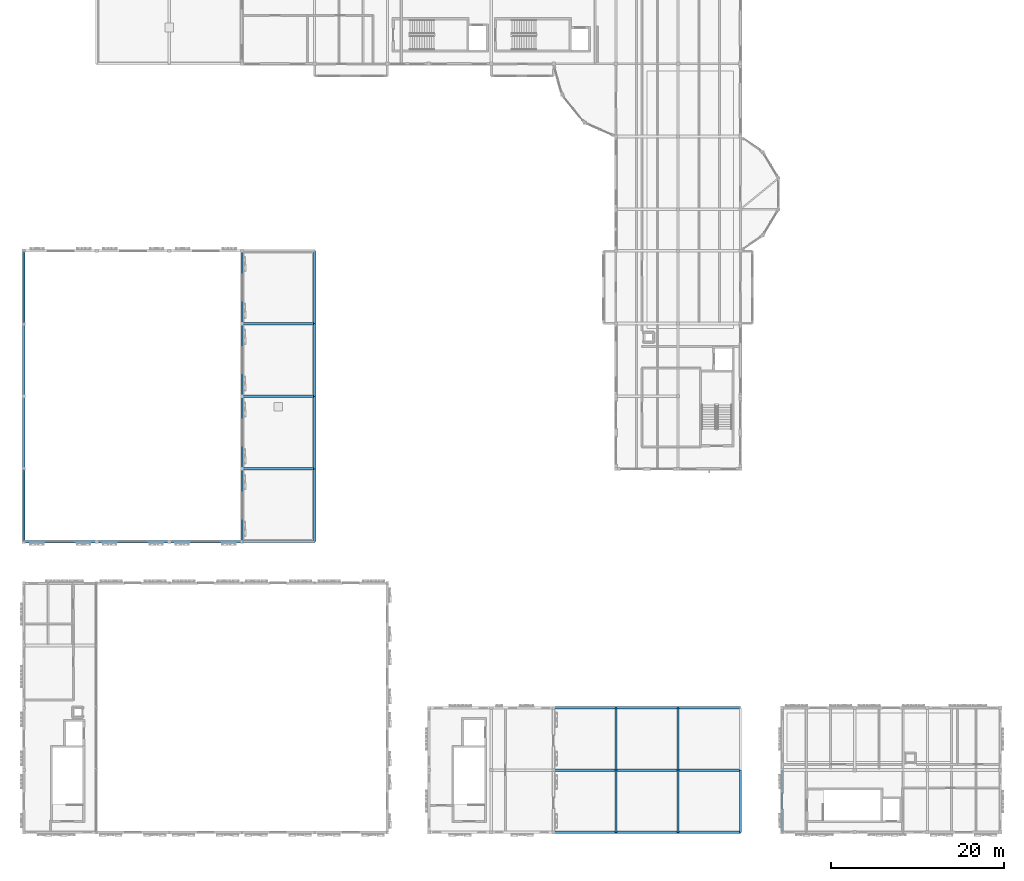
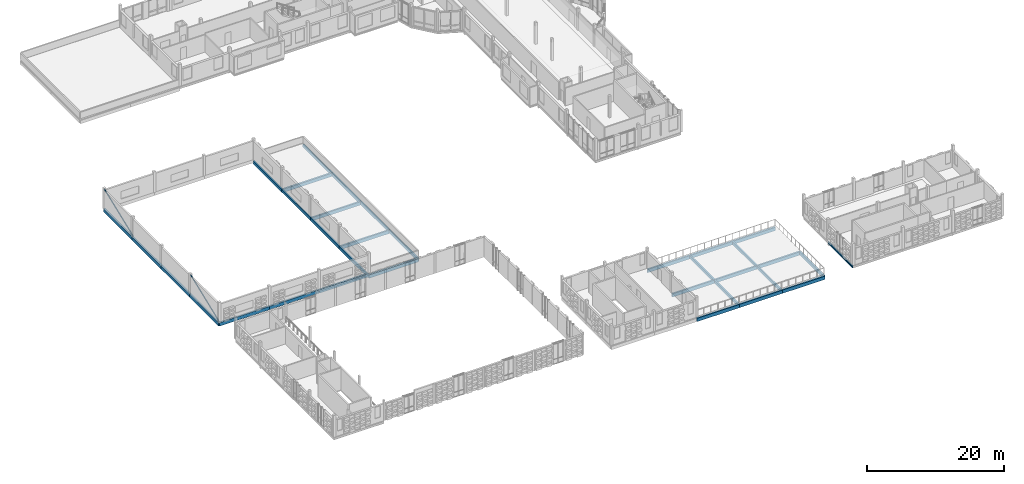
# One storey, part 11 of 57: 34 beams, 2 members.
"""IFC4 building model written with IfcOpenShell, lengths in metres."""

from ifc_helpers import new_model, si_unit, direction, frame, origin, origin_2d, place, context, subcontext, project, spatial, rectangle, hollow_circle, i_section, extrude, material, material_profile, profile_set, type_object, element, save


model = new_model("IFC4")

# Units and contexts
model_context = context("Model", 3, precision=1e-05, world=origin(), true_north=direction((0.0, 1.0)))
body_context = subcontext(model_context, "Body", "Model", "MODEL_VIEW")
ifc_project = project(units=[si_unit("LENGTHUNIT", "METRE"), si_unit("AREAUNIT", "SQUARE_METRE"), si_unit("VOLUMEUNIT", "CUBIC_METRE"), si_unit("PLANEANGLEUNIT", "RADIAN"), si_unit("MASSUNIT", "GRAM", prefix="KILO")], contexts=[model_context])

# Site, building, storey
site_placement = place(None, origin())
site = spatial("IfcSite", under=ifc_project, at=site_placement, CompositionType="ELEMENT")
building_placement = place(site_placement, origin())
building = spatial("IfcBuilding", under=site, at=building_placement, Name="Kahlenmark Community Centre", CompositionType="ELEMENT")
storey_placement = place(building_placement, frame((0.0, 0.0, 13.800048828125)))
storey = spatial("IfcBuildingStorey", under=building, at=storey_placement, Name="L03", CompositionType="ELEMENT", Elevation=13.800048828125)

# Beams
ifc_material_1 = material(Name="Glulam GL32h", Category="wood")
ifc_material_profile_1 = material_profile(ifc_material_1, rectangle(XDim=0.239990234375, YDim=0.52001953125, at=origin_2d()), Name="GL32h 240x520")
ifc_profile_set_1 = profile_set([ifc_material_profile_1], Name="Glulam GL32h")
beam_type_1 = type_object("IfcBeamType", Name="BT-BEAM-GL32h240x520", PredefinedType="BEAM", material=ifc_profile_set_1)
beam_1_placement = place(storey_placement, frame((29.199951171875, 42.39990234375, -0.5400390625), z_axis=(0.0, 1.0, 0.0), x_axis=(-1.0, 0.0, 0.0)))
element("IfcBeam", 1, at=beam_1_placement, inside=storey, type_object=beam_type_1, Name="L03 beam BG-RF520", PredefinedType="BEAM", context=body_context, shape_type="SweptSolid", body=[
    extrude(rectangle(XDim=0.239990234375, YDim=0.52001953125, at=origin_2d()), origin(), (0.0, 0.0, 1.0), 8.400146484375),
])
beam_2_placement = place(storey_placement, frame((29.199951171875, 50.800048828125, -0.5400390625), z_axis=(0.0, 1.0, 0.0), x_axis=(-1.0, 0.0, 0.0)))
element("IfcBeam", 2, at=beam_2_placement, inside=storey, type_object=beam_type_1, Name="L03 beam BG-RF520", PredefinedType="BEAM", context=body_context, shape_type="SweptSolid", body=[
    extrude(rectangle(XDim=0.239990234375, YDim=0.52001953125, at=origin_2d()), origin(), (0.0, 0.0, 1.0), 8.39990234375),
])
beam_3_placement = place(storey_placement, frame((29.199951171875, 59.199951171875, -0.5400390625), z_axis=(0.0, 1.0, 0.0), x_axis=(-1.0, 0.0, 0.0)))
element("IfcBeam", 3, at=beam_3_placement, inside=storey, type_object=beam_type_1, Name="L03 beam BG-RF520", PredefinedType="BEAM", context=body_context, shape_type="SweptSolid", body=[
    extrude(rectangle(XDim=0.239990234375, YDim=0.52001953125, at=origin_2d()), origin(), (0.0, 0.0, 1.0), 8.400146484375),
])
beam_4_placement = place(storey_placement, frame((29.199951171875, 67.60009765625, -0.5400390625), z_axis=(0.0, 1.0, 0.0), x_axis=(-1.0, 0.0, 0.0)))
element("IfcBeam", 4, at=beam_4_placement, inside=storey, type_object=beam_type_1, Name="L03 beam BG-RF520", PredefinedType="BEAM", context=body_context, shape_type="SweptSolid", body=[
    extrude(rectangle(XDim=0.239990234375, YDim=0.52001953125, at=origin_2d()), origin(), (0.0, 0.0, 1.0), 8.39990234375),
])
beam_5_placement = place(storey_placement, frame((37.60009765625, 42.39990234375, -0.5400390625), z_axis=(0.0, 1.0, 0.0), x_axis=(-1.0, 0.0, 0.0)))
element("IfcBeam", 5, at=beam_5_placement, inside=storey, type_object=beam_type_1, Name="L03 beam BG-RF520", PredefinedType="BEAM", context=body_context, shape_type="SweptSolid", body=[
    extrude(rectangle(XDim=0.239990234375, YDim=0.52001953125, at=origin_2d()), origin(), (0.0, 0.0, 1.0), 8.400146484375),
])
beam_6_placement = place(storey_placement, frame((37.60009765625, 50.800048828125, -0.5400390625), z_axis=(0.0, 1.0, 0.0), x_axis=(-1.0, 0.0, 0.0)))
element("IfcBeam", 6, at=beam_6_placement, inside=storey, type_object=beam_type_1, Name="L03 beam BG-RF520", PredefinedType="BEAM", context=body_context, shape_type="SweptSolid", body=[
    extrude(rectangle(XDim=0.239990234375, YDim=0.52001953125, at=origin_2d()), origin(), (0.0, 0.0, 1.0), 8.39990234375),
])
beam_7_placement = place(storey_placement, frame((37.60009765625, 59.199951171875, -0.5400390625), z_axis=(0.0, 1.0, 0.0), x_axis=(-1.0, 0.0, 0.0)))
element("IfcBeam", 7, at=beam_7_placement, inside=storey, type_object=beam_type_1, Name="L03 beam BG-RF520", PredefinedType="BEAM", context=body_context, shape_type="SweptSolid", body=[
    extrude(rectangle(XDim=0.239990234375, YDim=0.52001953125, at=origin_2d()), origin(), (0.0, 0.0, 1.0), 8.400146484375),
])
beam_8_placement = place(storey_placement, frame((37.60009765625, 67.60009765625, -0.5400390625), z_axis=(0.0, 1.0, 0.0), x_axis=(-1.0, 0.0, 0.0)))
element("IfcBeam", 8, at=beam_8_placement, inside=storey, type_object=beam_type_1, Name="L03 beam BG-RF520", PredefinedType="BEAM", context=body_context, shape_type="SweptSolid", body=[
    extrude(rectangle(XDim=0.239990234375, YDim=0.52001953125, at=origin_2d()), origin(), (0.0, 0.0, 1.0), 8.39990234375),
])
for number, where, z_axis, x_axis, name in (
    (9, (72.39990234375, 8.800048828125, -0.52001953125), (0.0, 1.0, 0.0), (-1.0, 0.0, 0.0), "L03 beam BG-RF520"),
    (10, (72.39990234375, 16.0, -0.52001953125), (0.0, 1.0, 0.0), (-1.0, 0.0, 0.0), "L03 beam BG-RF520"),
    (11, (79.60009765625, 8.800048828125, -0.52001953125), (0.0, 1.0, 0.0), (-1.0, 0.0, 0.0), "L03 beam BG-RF520"),
    (12, (79.60009765625, 16.0, -0.52001953125), (0.0, 1.0, 0.0), (-1.0, 0.0, 0.0), "L03 beam BG-RF520"),
    (13, (86.800048828125, 8.800048828125, -0.52001953125), (0.0, 1.0, 0.0), (-1.0, 0.0, 0.0), "L03 beam BG-RF520"),
):
    element("IfcBeam", number, at=place(storey_placement, frame(where, z_axis=z_axis, x_axis=x_axis)), inside=storey, type_object=beam_type_1, Name=name, PredefinedType="BEAM", context=body_context, shape_type="SweptSolid", body=[
        extrude(rectangle(XDim=0.239990234375, YDim=0.52001953125, at=origin_2d()), origin(), (0.0, 0.0, 1.0), 7.199951171875),
    ])
ifc_material_profile_2 = material_profile(ifc_material_1, rectangle(XDim=0.280029296875, YDim=0.60009765625, at=origin_2d()), Name="GL32h 280x600")
ifc_profile_set_2 = profile_set([ifc_material_profile_2], Name="Glulam GL32h")
beam_type_2 = type_object("IfcBeamType", Name="BT-BEAM-GL32h280x600", PredefinedType="BEAM", material=ifc_profile_set_2)
for number, where, z_axis, x_axis, name in (
    (14, (29.199951171875, 42.39990234375, -0.580078125), (1.0, 0.0, 0.0), (0.0, 1.0, 0.0), "L03 beam BG-RF600"),
    (15, (29.199951171875, 50.800048828125, -0.580078125), (1.0, 0.0, 0.0), (0.0, 1.0, 0.0), "L03 beam BG-RF600"),
    (16, (29.199951171875, 59.199951171875, -0.580078125), (1.0, 0.0, 0.0), (0.0, 1.0, 0.0), "L03 beam BG-RF600"),
    (17, (29.199951171875, 67.60009765625, -0.580078125), (1.0, 0.0, 0.0), (0.0, 1.0, 0.0), "L03 beam BG-RF600"),
):
    element("IfcBeam", number, at=place(storey_placement, frame(where, z_axis=z_axis, x_axis=x_axis)), inside=storey, type_object=beam_type_2, Name=name, PredefinedType="BEAM", context=body_context, shape_type="SweptSolid", body=[
        extrude(rectangle(XDim=0.280029296875, YDim=0.60009765625, at=origin_2d()), origin(), (0.0, 0.0, 1.0), 8.400146484375),
    ])
beam_9_placement = place(storey_placement, frame((65.199951171875, 8.800048828125, -0.56005859375), z_axis=(1.0, 0.0, 0.0), x_axis=(0.0, 1.0, 0.0)))
element("IfcBeam", 18, at=beam_9_placement, inside=storey, type_object=beam_type_2, Name="L03 beam BG-RF600", PredefinedType="BEAM", context=body_context, shape_type="SweptSolid", body=[
    extrude(rectangle(XDim=0.280029296875, YDim=0.60009765625, at=origin_2d()), origin(), (0.0, 0.0, 1.0), 7.199951171875),
])
beam_10_placement = place(storey_placement, frame((72.39990234375, 8.800048828125, -0.56005859375), z_axis=(1.0, 0.0, 0.0), x_axis=(0.0, 1.0, 0.0)))
element("IfcBeam", 19, at=beam_10_placement, inside=storey, type_object=beam_type_2, Name="L03 beam BG-RF600", PredefinedType="BEAM", context=body_context, shape_type="SweptSolid", body=[
    extrude(rectangle(XDim=0.280029296875, YDim=0.60009765625, at=origin_2d()), origin(), (0.0, 0.0, 1.0), 7.2001953125),
])
for number, where, z_axis, x_axis, name in (
    (20, (79.60009765625, 8.800048828125, -0.56005859375), (1.0, 0.0, 0.0), (0.0, 1.0, 0.0), "L03 beam BG-RF600"),
    (21, (65.199951171875, 16.0, -0.56005859375), (1.0, 0.0, 0.0), (0.0, 1.0, 0.0), "L03 beam BG-RF600"),
):
    element("IfcBeam", number, at=place(storey_placement, frame(where, z_axis=z_axis, x_axis=x_axis)), inside=storey, type_object=beam_type_2, Name=name, PredefinedType="BEAM", context=body_context, shape_type="SweptSolid", body=[
        extrude(rectangle(XDim=0.280029296875, YDim=0.60009765625, at=origin_2d()), origin(), (0.0, 0.0, 1.0), 7.199951171875),
    ])
beam_11_placement = place(storey_placement, frame((72.39990234375, 16.0, -0.56005859375), z_axis=(1.0, 0.0, 0.0), x_axis=(0.0, 1.0, 0.0)))
element("IfcBeam", 22, at=beam_11_placement, inside=storey, type_object=beam_type_2, Name="L03 beam BG-RF600", PredefinedType="BEAM", context=body_context, shape_type="SweptSolid", body=[
    extrude(rectangle(XDim=0.280029296875, YDim=0.60009765625, at=origin_2d()), origin(), (0.0, 0.0, 1.0), 7.2001953125),
])
for number, where, z_axis, x_axis, name in (
    (23, (79.60009765625, 16.0, -0.56005859375), (1.0, 0.0, 0.0), (0.0, 1.0, 0.0), "L03 beam BG-RF600"),
    (24, (65.199951171875, 23.199951171875, -0.56005859375), (1.0, 0.0, 0.0), (0.0, 1.0, 0.0), "L03 beam BG-RF600"),
):
    element("IfcBeam", number, at=place(storey_placement, frame(where, z_axis=z_axis, x_axis=x_axis)), inside=storey, type_object=beam_type_2, Name=name, PredefinedType="BEAM", context=body_context, shape_type="SweptSolid", body=[
        extrude(rectangle(XDim=0.280029296875, YDim=0.60009765625, at=origin_2d()), origin(), (0.0, 0.0, 1.0), 7.199951171875),
    ])
beam_12_placement = place(storey_placement, frame((72.39990234375, 23.199951171875, -0.56005859375), z_axis=(1.0, 0.0, 0.0), x_axis=(0.0, 1.0, 0.0)))
element("IfcBeam", 25, at=beam_12_placement, inside=storey, type_object=beam_type_2, Name="L03 beam BG-RF600", PredefinedType="BEAM", context=body_context, shape_type="SweptSolid", body=[
    extrude(rectangle(XDim=0.280029296875, YDim=0.60009765625, at=origin_2d()), origin(), (0.0, 0.0, 1.0), 7.2001953125),
])
beam_13_placement = place(storey_placement, frame((79.60009765625, 23.199951171875, -0.56005859375), z_axis=(1.0, 0.0, 0.0), x_axis=(0.0, 1.0, 0.0)))
element("IfcBeam", 26, at=beam_13_placement, inside=storey, type_object=beam_type_2, Name="L03 beam BG-RF600", PredefinedType="BEAM", context=body_context, shape_type="SweptSolid", body=[
    extrude(rectangle(XDim=0.280029296875, YDim=0.60009765625, at=origin_2d()), origin(), (0.0, 0.0, 1.0), 7.199951171875),
])
ifc_material_profile_3 = material_profile(ifc_material_1, rectangle(XDim=0.280029296875, YDim=0.60009765625, at=origin_2d()), Name="GL32h 280x600")
ifc_profile_set_3 = profile_set([ifc_material_profile_3], Name="Glulam GL32h")
beam_type_3 = type_object("IfcBeamType", Name="BT-SPANDREL-GL32h280x600", PredefinedType="SPANDREL", material=ifc_profile_set_3)
beam_14_placement = place(storey_placement, frame((4.0, 42.39990234375, -0.300048828125), z_axis=(1.0, 0.0, 0.0), x_axis=(0.0, 1.0, 0.0)))
element("IfcBeam", 27, at=beam_14_placement, inside=storey, type_object=beam_type_3, Name="L03 spandrel SP-GL32h280x600", PredefinedType="SPANDREL", context=body_context, shape_type="SweptSolid", body=[
    extrude(rectangle(XDim=0.280029296875, YDim=0.60009765625, at=origin_2d()), origin(), (0.0, 0.0, 1.0), 8.39990234375),
])
beam_15_placement = place(storey_placement, frame((12.39990234375, 42.39990234375, -0.300048828125), z_axis=(1.0, 0.0, 0.0), x_axis=(0.0, 1.0, 0.0)))
element("IfcBeam", 28, at=beam_15_placement, inside=storey, type_object=beam_type_3, Name="L03 spandrel SP-GL32h280x600", PredefinedType="SPANDREL", context=body_context, shape_type="SweptSolid", body=[
    extrude(rectangle(XDim=0.280029296875, YDim=0.60009765625, at=origin_2d()), origin(), (0.0, 0.0, 1.0), 8.400146484375),
])
beam_16_placement = place(storey_placement, frame((20.800048828125, 42.39990234375, -0.300048828125), z_axis=(1.0, 0.0, 0.0), x_axis=(0.0, 1.0, 0.0)))
element("IfcBeam", 29, at=beam_16_placement, inside=storey, type_object=beam_type_3, Name="L03 spandrel SP-GL32h280x600", PredefinedType="SPANDREL", context=body_context, shape_type="SweptSolid", body=[
    extrude(rectangle(XDim=0.280029296875, YDim=0.60009765625, at=origin_2d()), origin(), (0.0, 0.0, 1.0), 8.39990234375),
])
beam_17_placement = place(storey_placement, frame((4.0, 42.39990234375, -0.300048828125), z_axis=(0.0, 1.0, 0.0), x_axis=(-1.0, 0.0, 0.0)))
element("IfcBeam", 30, at=beam_17_placement, inside=storey, type_object=beam_type_3, Name="L03 spandrel SP-GL32h280x600", PredefinedType="SPANDREL", context=body_context, shape_type="SweptSolid", body=[
    extrude(rectangle(XDim=0.280029296875, YDim=0.60009765625, at=origin_2d()), origin(), (0.0, 0.0, 1.0), 8.400146484375),
])
beam_18_placement = place(storey_placement, frame((4.0, 50.800048828125, -0.300048828125), z_axis=(0.0, 1.0, 0.0), x_axis=(-1.0, 0.0, 0.0)))
element("IfcBeam", 31, at=beam_18_placement, inside=storey, type_object=beam_type_3, Name="L03 spandrel SP-GL32h280x600", PredefinedType="SPANDREL", context=body_context, shape_type="SweptSolid", body=[
    extrude(rectangle(XDim=0.280029296875, YDim=0.60009765625, at=origin_2d()), origin(), (0.0, 0.0, 1.0), 8.39990234375),
])
beam_19_placement = place(storey_placement, frame((4.0, 59.199951171875, -0.300048828125), z_axis=(0.0, 1.0, 0.0), x_axis=(-1.0, 0.0, 0.0)))
element("IfcBeam", 32, at=beam_19_placement, inside=storey, type_object=beam_type_3, Name="L03 spandrel SP-GL32h280x600", PredefinedType="SPANDREL", context=body_context, shape_type="SweptSolid", body=[
    extrude(rectangle(XDim=0.280029296875, YDim=0.60009765625, at=origin_2d()), origin(), (0.0, 0.0, 1.0), 8.400146484375),
])
beam_20_placement = place(storey_placement, frame((4.0, 67.60009765625, -0.300048828125), z_axis=(0.0, 1.0, 0.0), x_axis=(-1.0, 0.0, 0.0)))
element("IfcBeam", 33, at=beam_20_placement, inside=storey, type_object=beam_type_3, Name="L03 spandrel SP-GL32h280x600", PredefinedType="SPANDREL", context=body_context, shape_type="SweptSolid", body=[
    extrude(rectangle(XDim=0.280029296875, YDim=0.60009765625, at=origin_2d()), origin(), (0.0, 0.0, 1.0), 8.39990234375),
])
ifc_material_2 = material(Name="Steel S355", Category="steel")
ifc_material_profile_4 = material_profile(ifc_material_2, i_section(OverallWidth=0.169921875, OverallDepth=0.360107421875, WebThickness=0.008056640625, FlangeThickness=0.0126953125, at=origin_2d()), Name="IPE 360")
ifc_profile_set_4 = profile_set([ifc_material_profile_4], Name="Steel S355")
beam_type_4 = type_object("IfcBeamType", Name="BT-SPANDREL-IPE360", PredefinedType="SPANDREL", material=ifc_profile_set_4)
beam_21_placement = place(storey_placement, frame((91.60009765625, 8.800048828125, -0.380126953125), z_axis=(0.0, 1.0, 0.0), x_axis=(-1.0, 0.0, 0.0)))
element("IfcBeam", 34, at=beam_21_placement, inside=storey, type_object=beam_type_4, Name="L03 spandrel SP-IPE360", PredefinedType="SPANDREL", context=body_context, shape_type="SweptSolid", body=[
    extrude(i_section(OverallWidth=0.169921875, OverallDepth=0.360107421875, WebThickness=0.008056640625, FlangeThickness=0.0126953125, at=origin_2d()), origin(), (0.0, 0.0, 1.0), 7.199951171875),
])

# Members
ifc_material_profile_5 = material_profile(ifc_material_2, hollow_circle(Radius=0.096923828125, WallThickness=0.008056640625, at=origin_2d()), Name="CHS 193.7x8")
ifc_profile_set_5 = profile_set([ifc_material_profile_5], Name="Steel S355")
member_type = type_object("IfcMemberType", Name="MT-BRACE-CHS193.7x8", PredefinedType="BRACE", material=ifc_profile_set_5)
member_1_placement = place(storey_placement, frame((4.0, 42.39990234375, 0.14990234375), z_axis=(0.0, 0.93075182224, 0.365651535479), x_axis=(-1.0, 0.0, 0.0)))
element("IfcMember", 35, at=member_1_placement, inside=storey, type_object=member_type, Name="L03 brace BF-DIAG", PredefinedType="BRACE", context=body_context, shape_type="SweptSolid", body=[
    extrude(hollow_circle(Radius=0.096923828125, WallThickness=0.008056640625, at=origin_2d()), origin(), (0.0, 0.0, 1.0), 9.025146484375),
])
member_2_placement = place(storey_placement, frame((4.0, 67.60009765625, 0.14990234375), z_axis=(0.0, 0.930748205325, 0.365660742062), x_axis=(-1.0, 0.0, 0.0)))
element("IfcMember", 36, at=member_2_placement, inside=storey, type_object=member_type, Name="L03 brace BF-DIAG", PredefinedType="BRACE", context=body_context, shape_type="SweptSolid", body=[
    extrude(hollow_circle(Radius=0.096923828125, WallThickness=0.008056640625, at=origin_2d()), origin(), (0.0, 0.0, 1.0), 9.02490234375),
])

save(model, "model.ifc")
